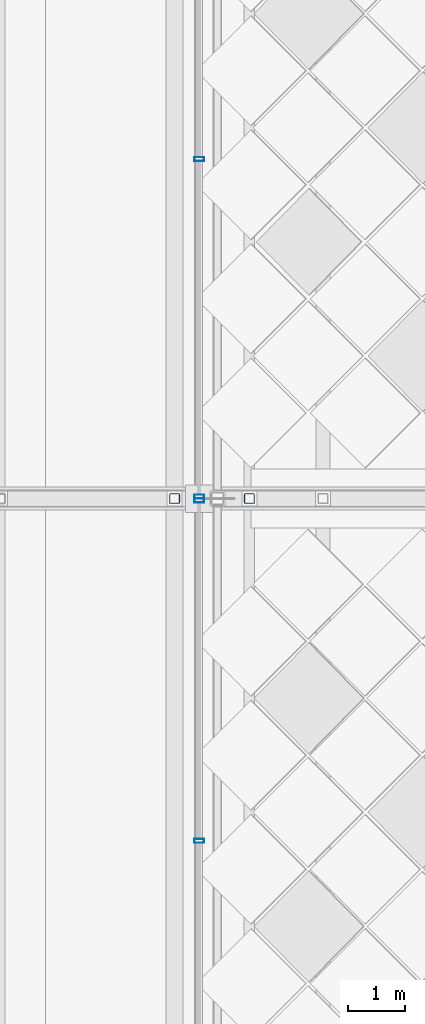
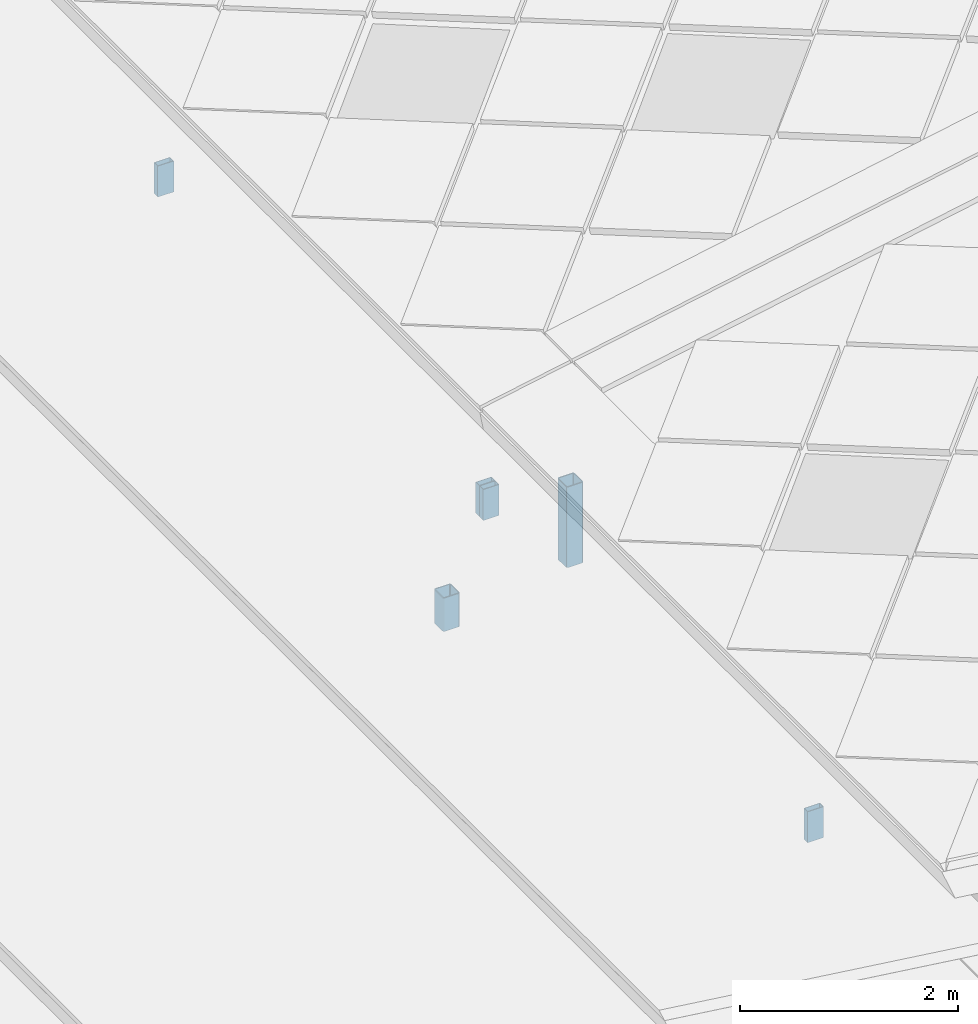
# One storey, part 68 of 117: 6 members, 2 elements without a shape of their own.
"""IFC4 building model written with IfcOpenShell, lengths in metres."""

from ifc_helpers import new_model, si_unit, direction, frame, origin, origin_2d, place, context, subcontext, project, spatial, hollow_rectangle, extrude, material, material_profile, profile_set, type_object, element, aggregate, save


model = new_model("IFC4")

# Units and contexts
model_context = context("Model", 3, precision=1e-05, world=origin(), true_north=direction((0.0, 1.0)))
body_context = subcontext(model_context, "Body", "Model", "MODEL_VIEW")
ifc_project = project(units=[si_unit("LENGTHUNIT", "METRE"), si_unit("AREAUNIT", "SQUARE_METRE"), si_unit("VOLUMEUNIT", "CUBIC_METRE"), si_unit("PLANEANGLEUNIT", "RADIAN"), si_unit("MASSUNIT", "GRAM", prefix="KILO")], contexts=[model_context])

# Site, building, storey
site_placement = place(None, origin())
site = spatial("IfcSite", under=ifc_project, at=site_placement, CompositionType="ELEMENT")
building_placement = place(site_placement, origin())
building = spatial("IfcBuilding", under=site, at=building_placement, Name="Merenkruunu Market Hall", CompositionType="ELEMENT")
storey_placement = place(building_placement, frame((0.0, 0.0, 22.800048828125)))
storey = spatial("IfcBuildingStorey", under=building, at=storey_placement, Name="RF", CompositionType="ELEMENT", Elevation=22.800048828125)

# Curtain wall, members
ifc_material_1 = material(Name="Powder-coated aluminium", Category="aluminium")
curtain_wall_type = type_object("IfcCurtainWallType", Name="Clerestory Curtain Band CL05", PredefinedType="USERDEFINED", material=ifc_material_1)
curtain_wall_1_placement = place(storey_placement, origin())
curtain_wall_1 = element("IfcCurtainWall", 1, at=curtain_wall_1_placement, inside=storey, type_object=curtain_wall_type, Name="CW-RF-CWM04-117", ObjectType="CLERESTORY_BAND", PredefinedType="USERDEFINED")
ifc_material_profile_1 = material_profile(ifc_material_1, hollow_rectangle(XDim=0.070068359375, YDim=0.169921875, WallThickness=0.0048828125, at=origin_2d()), Name="ALU 70x170x5")
ifc_profile_set_1 = profile_set([ifc_material_profile_1], Name="Powder-coated aluminium")
member_type_1 = type_object("IfcMemberType", Name="Curtain Wall Mullion CWM04", PredefinedType="MULLION", material=ifc_profile_set_1)
member_1_placement = place(storey_placement, frame((18.8798828125, 81.60009765625, -1.241943359375), z_axis=(0.0, 0.0, 1.0), x_axis=(0.0, 1.0, 0.0)))
member_1 = element("IfcMember", 2, at=member_1_placement, type_object=member_type_1, Name="CL05 mullion 4", PredefinedType="MULLION", context=body_context, shape_type="SweptSolid", body=[
    extrude(hollow_rectangle(XDim=0.070068359375, YDim=0.169921875, WallThickness=0.0048828125, at=origin_2d()), origin(), (0.0, 0.0, 1.0), 0.347900390625),
])
member_2_placement = place(storey_placement, frame((18.8798828125, 87.56494140625, -1.241943359375), z_axis=(0.0, 0.0, 1.0), x_axis=(0.0, 1.0, 0.0)))
member_2 = element("IfcMember", 3, at=member_2_placement, type_object=member_type_1, Name="CL05 mullion 5", PredefinedType="MULLION", context=body_context, shape_type="SweptSolid", body=[
    extrude(hollow_rectangle(XDim=0.070068359375, YDim=0.169921875, WallThickness=0.0048828125, at=origin_2d()), origin(), (0.0, 0.0, 1.0), 0.347900390625),
])
aggregate(curtain_wall_1, [member_1, member_2])

curtain_wall_2_placement = place(storey_placement, origin())
curtain_wall_2 = element("IfcCurtainWall", 4, at=curtain_wall_2_placement, inside=storey, type_object=curtain_wall_type, Name="CW-RF-CWM04-119", ObjectType="CLERESTORY_BAND", PredefinedType="USERDEFINED")
member_3_placement = place(storey_placement, frame((18.8798828125, 87.635009765625, -1.241943359375), z_axis=(0.0, 0.0, 1.0), x_axis=(0.0, 1.0, 0.0)))
member_3 = element("IfcMember", 5, at=member_3_placement, type_object=member_type_1, Name="CL05 mullion 1", PredefinedType="MULLION", context=body_context, shape_type="SweptSolid", body=[
    extrude(hollow_rectangle(XDim=0.070068359375, YDim=0.169921875, WallThickness=0.0048828125, at=origin_2d()), origin(), (0.0, 0.0, 1.0), 0.347900390625),
])
member_4_placement = place(storey_placement, frame((18.8798828125, 93.550048828125, -1.241943359375), z_axis=(0.0, 0.0, 1.0), x_axis=(0.0, 1.0, 0.0)))
member_4 = element("IfcMember", 6, at=member_4_placement, type_object=member_type_1, Name="CL05 mullion 2", PredefinedType="MULLION", context=body_context, shape_type="SweptSolid", body=[
    extrude(hollow_rectangle(XDim=0.070068359375, YDim=0.169921875, WallThickness=0.0048828125, at=origin_2d()), origin(), (0.0, 0.0, 1.0), 0.347900390625),
])
aggregate(curtain_wall_2, [member_3, member_4])

# Members
ifc_material_2 = material(Name="Steel S355J2", Category="steel")
ifc_material_profile_2 = material_profile(ifc_material_2, hollow_rectangle(XDim=0.179931640625, YDim=0.179931640625, WallThickness=0.010009765625, InnerFilletRadius=0.010009765625, OuterFilletRadius=0.02001953125, at=origin_2d()), Name="SHS 180x180x10")
ifc_profile_set_2 = profile_set([ifc_material_profile_2], Name="Steel S355J2")
member_type_2 = type_object("IfcMemberType", Name="Diagonal Sway Brace BR05", PredefinedType="BRACE", material=ifc_profile_set_2)
member_5_placement = place(storey_placement, frame((18.449951171875, 87.60009765625, -2.326904296875), z_axis=(0.0, 0.0, 1.0), x_axis=(1.0, 0.0, 0.0)))
element("IfcMember", 7, at=member_5_placement, inside=storey, type_object=member_type_2, Name="TRUSS-AT-7-RISER-W5-2", PredefinedType="BRACE", context=body_context, shape_type="SweptSolid", body=[
    extrude(hollow_rectangle(XDim=0.179931640625, YDim=0.179931640625, WallThickness=0.010009765625, InnerFilletRadius=0.010009765625, OuterFilletRadius=0.02001953125, at=origin_2d()), origin(), (0.0, 0.0, 1.0), 0.37451171875),
])
member_6_placement = place(storey_placement, frame((19.760009765625, 87.60009765625, -2.07080078125), z_axis=(0.0, 0.0, 1.0), x_axis=(1.0, 0.0, 0.0)))
element("IfcMember", 8, at=member_6_placement, inside=storey, type_object=member_type_2, Name="TRUSS-AT-7-RISER-W6-1", PredefinedType="BRACE", context=body_context, shape_type="SweptSolid", body=[
    extrude(hollow_rectangle(XDim=0.179931640625, YDim=0.179931640625, WallThickness=0.010009765625, InnerFilletRadius=0.010009765625, OuterFilletRadius=0.02001953125, at=origin_2d()), origin(), (0.0, 0.0, 1.0), 0.90576171875),
])

save(model, "model.ifc")
